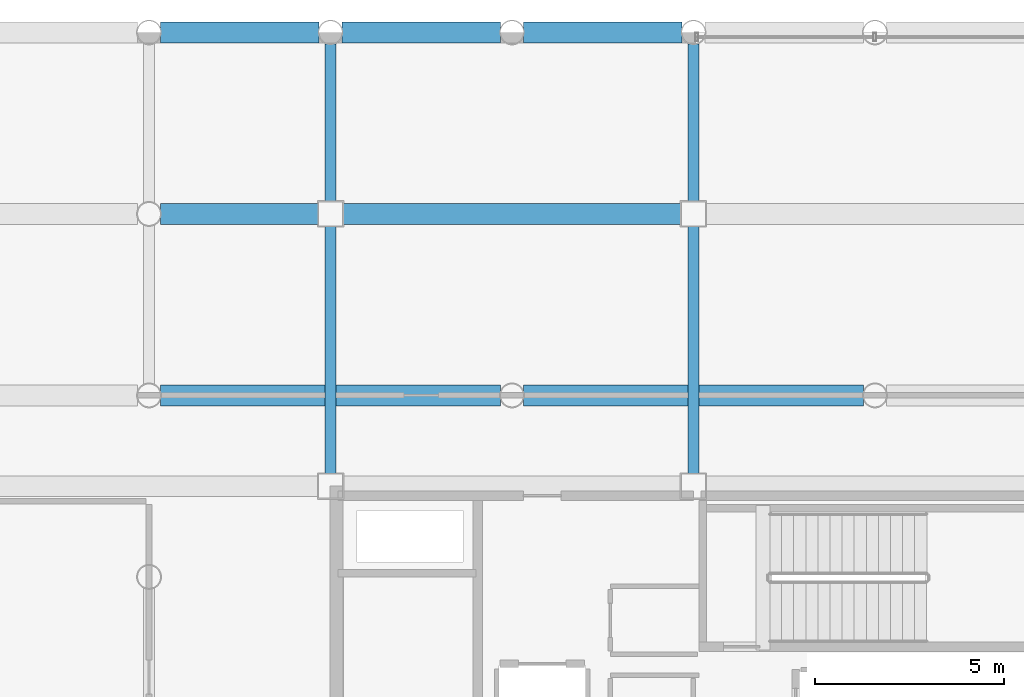
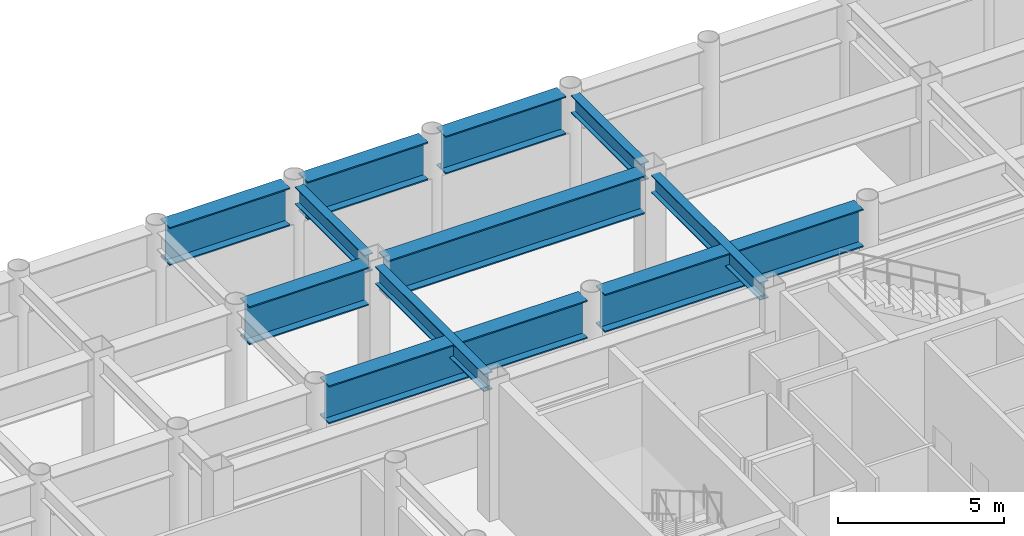
# One storey, part 10 of 20: 11 beams.
"""IFC4 building model written with IfcOpenShell, lengths in metres."""

from ifc_helpers import new_model, si_unit, direction, frame, origin, origin_2d, place, context, subcontext, project, spatial, i_section, extrude, material, material_profile, profile_set, type_object, element, save


model = new_model("IFC4")

# Units and contexts
model_context = context("Model", 3, precision=1e-05, world=origin(), true_north=direction((0.0, 1.0)))
body_context = subcontext(model_context, "Body", "Model", "MODEL_VIEW")
ifc_project = project(units=[si_unit("LENGTHUNIT", "METRE"), si_unit("AREAUNIT", "SQUARE_METRE"), si_unit("VOLUMEUNIT", "CUBIC_METRE"), si_unit("PLANEANGLEUNIT", "RADIAN"), si_unit("MASSUNIT", "GRAM", prefix="KILO")], contexts=[model_context])

# Site, building, storey
site_placement = place(None, origin())
site = spatial("IfcSite", under=ifc_project, at=site_placement, CompositionType="ELEMENT")
building_placement = place(site_placement, origin())
building = spatial("IfcBuilding", under=site, at=building_placement, Name="Kallvorn Hotel Tower", CompositionType="ELEMENT")
storey_placement = place(building_placement, frame((0.0, 0.0, 180.300048828125)))
storey = spatial("IfcBuildingStorey", under=building, at=storey_placement, Name="L45", CompositionType="ELEMENT", Elevation=180.300048828125)

# Beams
ifc_material_1 = material(Name="Structural steel S355JR", Category="steel")
ifc_material_profile_1 = material_profile(ifc_material_1, i_section(OverallWidth=0.300048828125, OverallDepth=0.64990234375, WebThickness=0.01611328125, FlangeThickness=0.031005859375, at=origin_2d()), Name="HE 650 B")
ifc_profile_set_1 = profile_set([ifc_material_profile_1], Name="Structural steel S355JR")
beam_type_1 = type_object("IfcBeamType", Name="BM_HE650B", PredefinedType="BEAM", material=ifc_profile_set_1)
beam_1_placement = place(storey_placement, frame((-14.39990234375, 7.52490234375, 4.625), z_axis=(0.0, 1.0, 0.0), x_axis=(-1.0, 0.0, 0.0)))
element("IfcBeam", 1, at=beam_1_placement, inside=storey, type_object=beam_type_1, Name="L46 Primary Y-Girder 101", PredefinedType="BEAM", context=body_context, shape_type="SweptSolid", body=[
    extrude(i_section(OverallWidth=0.300048828125, OverallDepth=0.64990234375, WebThickness=0.01611328125, FlangeThickness=0.031005859375, at=origin_2d()), origin(), (0.0, 0.0, 1.0), 6.550048828125),
])
beam_2_placement = place(storey_placement, frame((-14.39990234375, 14.72509765625, 4.625), z_axis=(0.0, 1.0, 0.0), x_axis=(-1.0, 0.0, 0.0)))
element("IfcBeam", 2, at=beam_2_placement, inside=storey, type_object=beam_type_1, Name="L46 Primary Y-Girder 102", PredefinedType="BEAM", context=body_context, shape_type="SweptSolid", body=[
    extrude(i_section(OverallWidth=0.300048828125, OverallDepth=0.64990234375, WebThickness=0.01611328125, FlangeThickness=0.031005859375, at=origin_2d()), origin(), (0.0, 0.0, 1.0), 4.169921875),
])
beam_3_placement = place(storey_placement, frame((-4.800048828125, 7.52490234375, 4.625), z_axis=(0.0, 1.0, 0.0), x_axis=(-1.0, 0.0, 0.0)))
element("IfcBeam", 3, at=beam_3_placement, inside=storey, type_object=beam_type_1, Name="L46 Primary Y-Girder 109", PredefinedType="BEAM", context=body_context, shape_type="SweptSolid", body=[
    extrude(i_section(OverallWidth=0.300048828125, OverallDepth=0.64990234375, WebThickness=0.01611328125, FlangeThickness=0.031005859375, at=origin_2d()), origin(), (0.0, 0.0, 1.0), 6.550048828125),
])
beam_4_placement = place(storey_placement, frame((-4.800048828125, 14.72509765625, 4.625), z_axis=(0.0, 1.0, 0.0), x_axis=(-1.0, 0.0, 0.0)))
element("IfcBeam", 4, at=beam_4_placement, inside=storey, type_object=beam_type_1, Name="L46 Primary Y-Girder 110", PredefinedType="BEAM", context=body_context, shape_type="SweptSolid", body=[
    extrude(i_section(OverallWidth=0.300048828125, OverallDepth=0.64990234375, WebThickness=0.01611328125, FlangeThickness=0.031005859375, at=origin_2d()), origin(), (0.0, 0.0, 1.0), 4.169921875),
])
ifc_material_2 = material(Name="Structural steel S355JR", Category="steel")
ifc_material_profile_2 = material_profile(ifc_material_2, i_section(OverallWidth=0.550048828125, OverallDepth=1.39990234375, WebThickness=0.02490234375, FlangeThickness=0.044921875, at=origin_2d()), Name="PG 1400x550x25x45")
ifc_profile_set_2 = profile_set([ifc_material_profile_2], Name="Structural steel S355JR")
beam_type_2 = type_object("IfcBeamType", Name="BM_PG_1400", PredefinedType="BEAM", material=ifc_profile_set_2)
for number, where, z_axis, x_axis, name in (
    (5, (-18.89501953125, 9.60009765625, 4.25), (1.0, 0.0, 0.0), (0.0, 1.0, 0.0), "L46 Primary X-Girder 45"),
    (6, (-9.294921875, 9.60009765625, 4.25), (1.0, 0.0, 0.0), (0.0, 1.0, 0.0), "L46 Primary X-Girder 46"),
):
    element("IfcBeam", number, at=place(storey_placement, frame(where, z_axis=z_axis, x_axis=x_axis)), inside=storey, type_object=beam_type_2, Name=name, PredefinedType="BEAM", context=body_context, shape_type="SweptSolid", body=[
        extrude(i_section(OverallWidth=0.550048828125, OverallDepth=1.39990234375, WebThickness=0.02490234375, FlangeThickness=0.044921875, at=origin_2d()), origin(), (0.0, 0.0, 1.0), 8.989990234375),
    ])
beam_5_placement = place(storey_placement, frame((-18.89501953125, 14.39990234375, 4.25), z_axis=(1.0, 0.0, 0.0), x_axis=(0.0, 1.0, 0.0)))
element("IfcBeam", 7, at=beam_5_placement, inside=storey, type_object=beam_type_2, Name="L46 Primary X-Girder 54", PredefinedType="BEAM", context=body_context, shape_type="SweptSolid", body=[
    extrude(i_section(OverallWidth=0.550048828125, OverallDepth=1.39990234375, WebThickness=0.02490234375, FlangeThickness=0.044921875, at=origin_2d()), origin(), (0.0, 0.0, 1.0), 4.169921875),
])
beam_6_placement = place(storey_placement, frame((-14.074951171875, 14.39990234375, 4.25), z_axis=(1.0, 0.0, 0.0), x_axis=(0.0, 1.0, 0.0)))
element("IfcBeam", 8, at=beam_6_placement, inside=storey, type_object=beam_type_2, Name="L46 Primary X-Girder 55", PredefinedType="BEAM", context=body_context, shape_type="SweptSolid", body=[
    extrude(i_section(OverallWidth=0.550048828125, OverallDepth=1.39990234375, WebThickness=0.02490234375, FlangeThickness=0.044921875, at=origin_2d()), origin(), (0.0, 0.0, 1.0), 8.949951171875),
])
for number, where, z_axis, x_axis, name in (
    (9, (-18.89501953125, 19.199951171875, 4.25), (1.0, 0.0, 0.0), (0.0, 1.0, 0.0), "L46 Primary X-Girder 63"),
    (10, (-14.094970703125, 19.199951171875, 4.25), (1.0, 0.0, 0.0), (0.0, 1.0, 0.0), "L46 Primary X-Girder 64"),
    (11, (-9.294921875, 19.199951171875, 4.25), (1.0, 0.0, 0.0), (0.0, 1.0, 0.0), "L46 Primary X-Girder 65"),
):
    element("IfcBeam", number, at=place(storey_placement, frame(where, z_axis=z_axis, x_axis=x_axis)), inside=storey, type_object=beam_type_2, Name=name, PredefinedType="BEAM", context=body_context, shape_type="SweptSolid", body=[
        extrude(i_section(OverallWidth=0.550048828125, OverallDepth=1.39990234375, WebThickness=0.02490234375, FlangeThickness=0.044921875, at=origin_2d()), origin(), (0.0, 0.0, 1.0), 4.18994140625),
    ])

save(model, "model.ifc")
